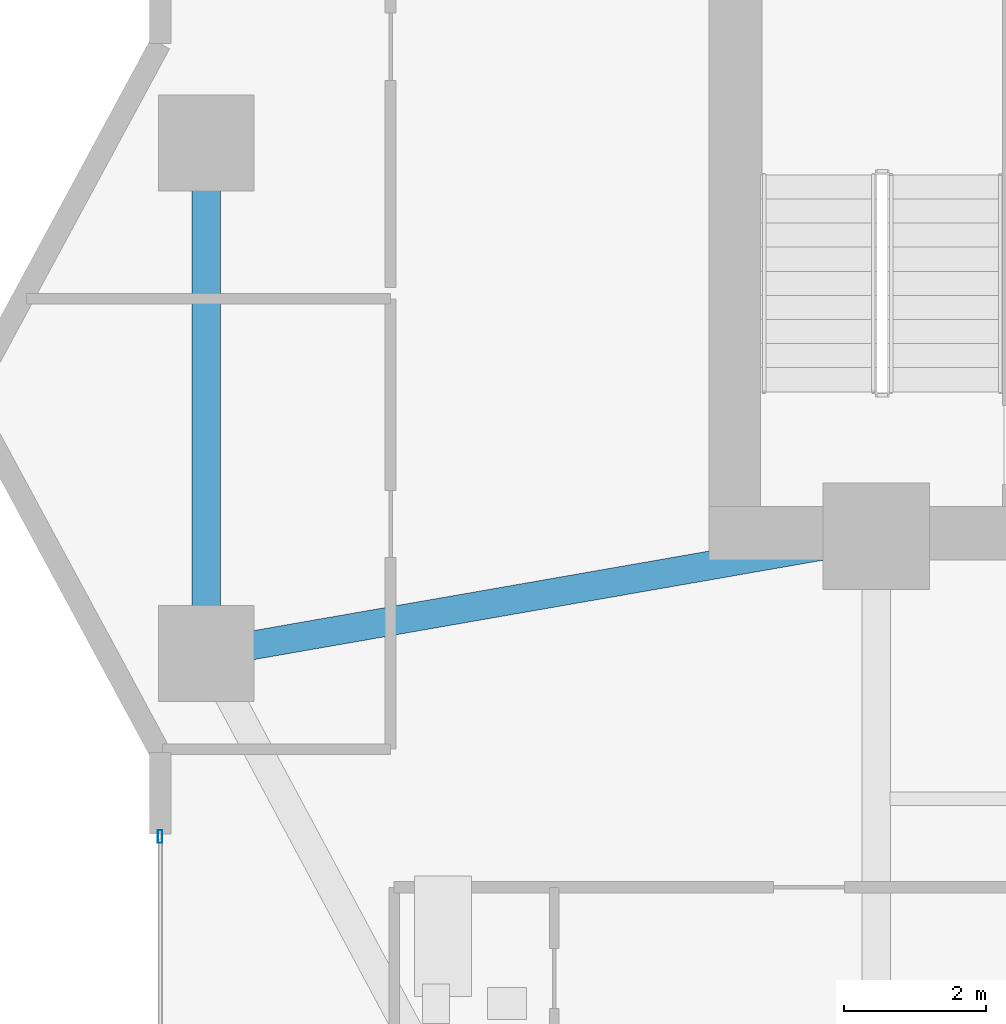
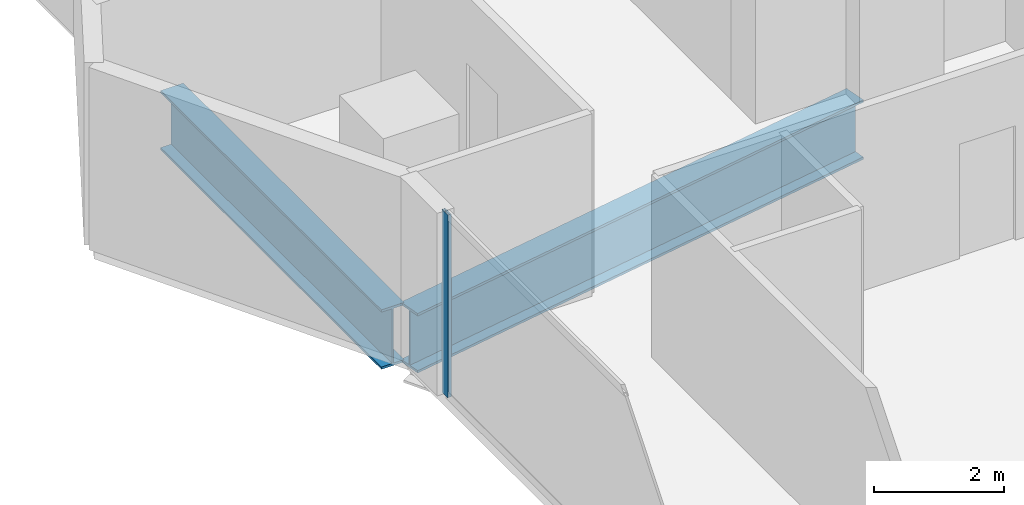
# One storey, part 7 of 29: 2 beams, 1 member, 1 element without a shape of its own.
"""IFC4 building model written with IfcOpenShell, lengths in metres."""

from ifc_helpers import new_model, si_unit, direction, frame, origin, origin_2d, place, context, subcontext, project, spatial, hollow_rectangle, i_section, extrude, material, layer, layer_set, material_profile, profile_set, type_object, element, aggregate, save


model = new_model("IFC4")

# Units and contexts
model_context = context("Model", 3, precision=1e-05, world=origin(), true_north=direction((0.0, 1.0)))
body_context = subcontext(model_context, "Body", "Model", "MODEL_VIEW")
ifc_project = project(units=[si_unit("LENGTHUNIT", "METRE"), si_unit("AREAUNIT", "SQUARE_METRE"), si_unit("VOLUMEUNIT", "CUBIC_METRE"), si_unit("PLANEANGLEUNIT", "RADIAN"), si_unit("MASSUNIT", "GRAM", prefix="KILO")], contexts=[model_context])

# Site, building, storey
site_placement = place(None, origin())
site = spatial("IfcSite", under=ifc_project, at=site_placement, CompositionType="ELEMENT")
building_placement = place(site_placement, origin())
building = spatial("IfcBuilding", under=site, at=building_placement, Name="Zuhayl Quay Hotel", CompositionType="ELEMENT")
storey_placement = place(building_placement, frame((0.0, 0.0, 95.64990234375)))
storey = spatial("IfcBuildingStorey", under=building, at=storey_placement, Name="L23", CompositionType="ELEMENT", Elevation=95.64990234375)

# Beams
ifc_material_1 = material(Name="Steel ASTM A913 Grade 65", Category="steel")
ifc_material_profile_1 = material_profile(ifc_material_1, i_section(OverallWidth=0.404052734375, OverallDepth=1.117919921875, WebThickness=0.026123046875, FlangeThickness=0.044921875, at=origin_2d()), Name="W44X335")
ifc_profile_set_1 = profile_set([ifc_material_profile_1], Name="Steel ASTM A913 Grade 65")
beam_type = type_object("IfcBeamType", Name="BM_TG1_W44X335", PredefinedType="BEAM", material=ifc_profile_set_1)
beam_1_placement = place(storey_placement, frame((-23.25, 9.89990234375, -0.81884765625), z_axis=(0.0, -1.0, 0.0), x_axis=(1.0, 0.0, 0.0)))
element("IfcBeam", 1, at=beam_1_placement, inside=storey, type_object=beam_type, Name="L23 Floor Beam RG_L23_11", PredefinedType="BEAM", context=body_context, shape_type="SweptSolid", body=[
    extrude(i_section(OverallWidth=0.404052734375, OverallDepth=1.117919921875, WebThickness=0.026123046875, FlangeThickness=0.044921875, at=origin_2d()), origin(), (0.0, 0.0, 1.0), 6.7998046875),
])
beam_2_placement = place(storey_placement, frame((-23.052978515625, 2.934326171875, -0.81884765625), z_axis=(0.985093907206, 0.172017423493, 0.0), x_axis=(-0.172017423493, 0.985093907206, 0.0)))
element("IfcBeam", 2, at=beam_2_placement, inside=storey, type_object=beam_type, Name="L23 Floor Beam FG_W_L23_1", PredefinedType="BEAM", context=body_context, shape_type="SweptSolid", body=[
    extrude(i_section(OverallWidth=0.404052734375, OverallDepth=1.117919921875, WebThickness=0.026123046875, FlangeThickness=0.044921875, at=origin_2d()), origin(), (0.0, 0.0, 1.0), 8.94287109375),
])

# Curtain wall, member
ifc_material_2 = material(Name="Anodised Aluminium 6063-T6", Category="aluminium")
ifc_layer = layer(ifc_material_2, 0.179931640625, Name="Anodised Aluminium 6063-T6", Category="aluminium")
ifc_layer_set = layer_set([ifc_layer], Name="Anodised Aluminium 6063-T6")
curtain_wall_type = type_object("IfcCurtainWallType", Name="CW_SYS_Z2", PredefinedType="USERDEFINED", material=ifc_layer_set)
curtain_wall_placement = place(storey_placement, origin())
curtain_wall = element("IfcCurtainWall", 3, at=curtain_wall_placement, inside=storey, type_object=curtain_wall_type, Name="L23 Curtain Wall ENV_L23_E02_CW1", ObjectType="UNITISED CURTAIN WALL", PredefinedType="USERDEFINED")
ifc_material_3 = material(Name="Black-anodised aluminium 6063-T6", Category="aluminium")
ifc_material_profile_2 = material_profile(ifc_material_3, hollow_rectangle(XDim=0.06494140625, YDim=0.179931640625, WallThickness=0.00341796875, at=origin_2d()), Name="ALU180X65")
ifc_profile_set_2 = profile_set([ifc_material_profile_2], Name="Black-anodised aluminium 6063-T6")
member_type = type_object("IfcMemberType", Name="MB_CW_MUL_180", PredefinedType="MULLION", material=ifc_profile_set_2)
member_placement = place(storey_placement, frame((-23.89990234375, 0.3173828125, 0.0), z_axis=(0.0, 0.0, 1.0), x_axis=(-1.0, 0.0, 0.0)))
member = element("IfcMember", 4, at=member_placement, type_object=member_type, Name="CW-Z2 mullion 2", PredefinedType="MULLION", context=body_context, shape_type="SweptSolid", body=[
    extrude(hollow_rectangle(XDim=0.06494140625, YDim=0.179931640625, WallThickness=0.00341796875, at=origin_2d()), origin(), (0.0, 0.0, 1.0), 3.43017578125),
])
aggregate(curtain_wall, [member])

save(model, "model.ifc")
